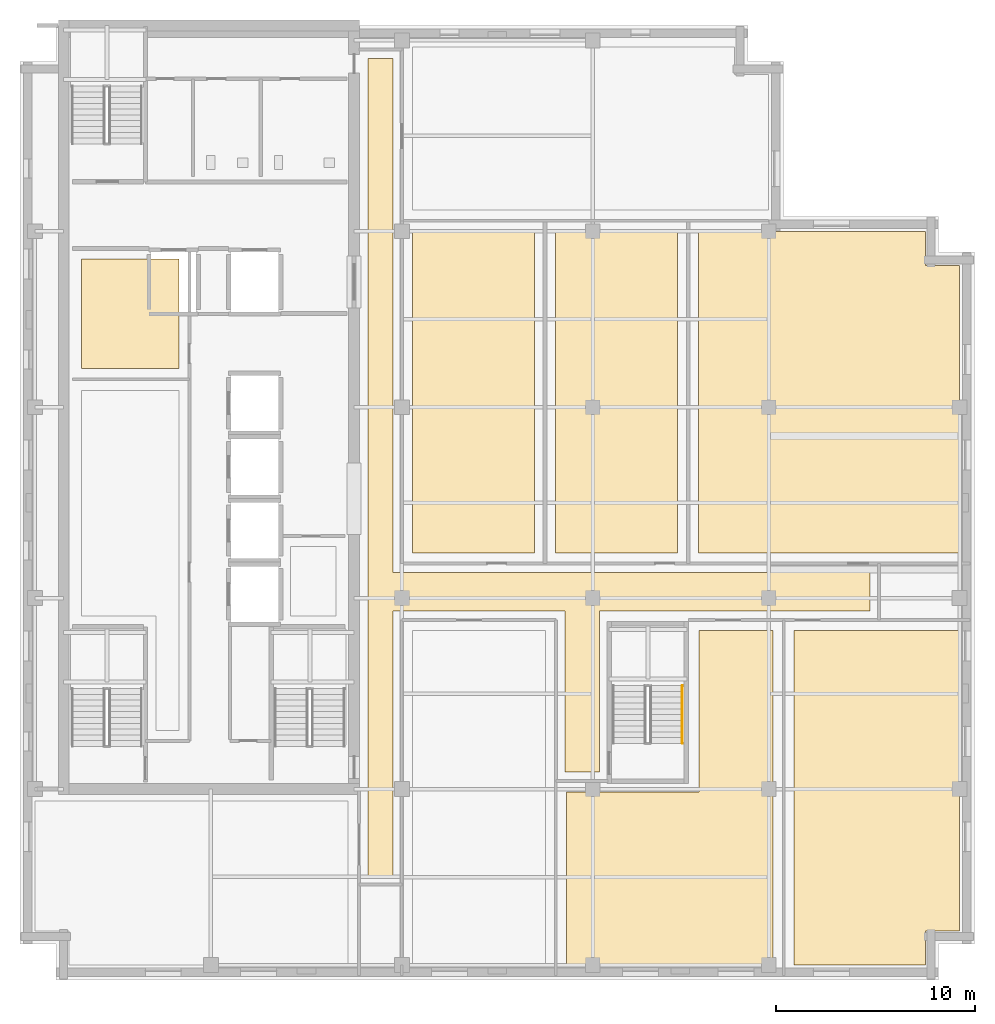
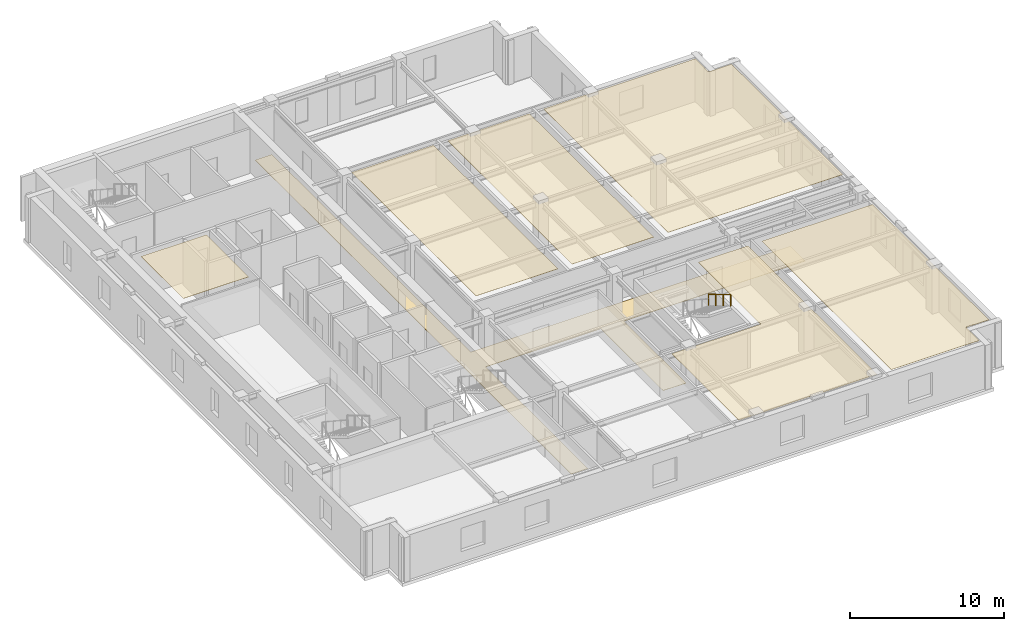
# One storey, part 8 of 10: 7 coverings, 1 railing.
"""IFC4 building model written with IfcOpenShell, lengths in metres."""

from ifc_helpers import new_model, si_unit, direction, frame, origin, origin_2d, place, context, subcontext, project, spatial, polyline, circle, outline, extrude, material, layer, layer_set, type_object, element, save


model = new_model("IFC4")

# Units and contexts
model_context = context("Model", 3, precision=1e-05, world=origin(), true_north=direction((0.0, 1.0)))
body_context = subcontext(model_context, "Body", "Model", "MODEL_VIEW")
ifc_project = project(units=[si_unit("LENGTHUNIT", "METRE"), si_unit("AREAUNIT", "SQUARE_METRE"), si_unit("VOLUMEUNIT", "CUBIC_METRE"), si_unit("PLANEANGLEUNIT", "RADIAN"), si_unit("MASSUNIT", "GRAM", prefix="KILO")], contexts=[model_context])

# Site, building, storey
site_placement = place(None, origin())
site = spatial("IfcSite", under=ifc_project, at=site_placement, CompositionType="ELEMENT")
building_placement = place(site_placement, origin())
building = spatial("IfcBuilding", under=site, at=building_placement, Name="Norrvale University Quadrangle", CompositionType="ELEMENT")
storey_placement = place(building_placement, frame((0.0, 0.0, 273.39990234375)))
storey = spatial("IfcBuildingStorey", under=building, at=storey_placement, Name="L69", CompositionType="ELEMENT", Elevation=273.39990234375)

# Coverings
ifc_material_1 = material(Name="Perforated Acoustic Mineral Ceiling")
ifc_layer_1 = layer(ifc_material_1, 0.02490234375, Name="Perforated Acoustic Mineral Ceiling")
ifc_layer_set_1 = layer_set([ifc_layer_1], Name="Perforated Acoustic Mineral Ceiling")
covering_type_1 = type_object("IfcCoveringType", Name="Covering Acoustic Ceiling 25", PredefinedType="CEILING", material=ifc_layer_set_1)
covering_1_placement = place(storey_placement, frame((0.0, 0.0, 3.51513671875)))
element("IfcCovering", 1, at=covering_1_placement, inside=storey, type_object=covering_type_1, Name="Acoustic Ceiling RM-L69-REC2", PredefinedType="CEILING", context=body_context, shape_type="SweptSolid", body=[
    extrude(outline(polyline([(3.10009765625, 30.75), (3.10009765625, 36.25), (8.0, 36.25), (8.0, 30.75), (3.10009765625, 30.75)])), origin(), (0.0, 0.0, 1.0), 0.02490234375),
])
covering_2_placement = place(storey_placement, frame((0.0, 0.0, 3.51513671875)))
element("IfcCovering", 2, at=covering_2_placement, inside=storey, type_object=covering_type_1, Name="Acoustic Ceiling RM-L69-SE2", PredefinedType="CEILING", context=body_context, shape_type="SweptSolid", body=[
    extrude(outline(polyline([(27.47998046875, 9.449951171875), (34.14990234375, 9.449951171875), (34.14990234375, 17.570068359375), (37.8701171875, 17.570068359375), (37.8701171875, 0.75), (27.47998046875, 0.75), (27.47998046875, 9.449951171875)])), origin(), (0.0, 0.0, 1.0), 0.02490234375),
])
covering_3_placement = place(storey_placement, frame((0.0, 0.0, 3.51513671875)))
element("IfcCovering", 3, at=covering_3_placement, inside=storey, type_object=covering_type_1, Name="Acoustic Ceiling RM-L69-SE3", PredefinedType="CEILING", context=body_context, shape_type="SweptSolid", body=[
    extrude(outline(polyline([(38.929931640625, 0.75), (38.929931640625, 17.570068359375), (47.25, 17.570068359375), (47.25, 2.469970703125), (45.530029296875, 2.469970703125), (45.530029296875, 0.75), (38.929931640625, 0.75)])), origin(), (0.0, 0.0, 1.0), 0.02490234375),
])
covering_4_placement = place(storey_placement, frame((0.0, 0.0, 3.51513671875)))
element("IfcCovering", 4, at=covering_4_placement, inside=storey, type_object=covering_type_1, Name="Acoustic Ceiling RM-L69-ME01", PredefinedType="CEILING", context=body_context, shape_type="SweptSolid", body=[
    extrude(outline(polyline([(19.72998046875, 37.64990234375), (25.8701171875, 37.64990234375), (25.8701171875, 21.47998046875), (19.72998046875, 21.47998046875), (19.72998046875, 37.64990234375)])), origin(), (0.0, 0.0, 1.0), 0.02490234375),
])
covering_5_placement = place(storey_placement, frame((0.0, 0.0, 3.51513671875)))
element("IfcCovering", 5, at=covering_5_placement, inside=storey, type_object=covering_type_1, Name="Acoustic Ceiling RM-L69-ME02", PredefinedType="CEILING", context=body_context, shape_type="SweptSolid", body=[
    extrude(outline(polyline([(26.929931640625, 37.64990234375), (33.070068359375, 37.64990234375), (33.070068359375, 21.47998046875), (26.929931640625, 21.47998046875), (26.929931640625, 37.64990234375)])), origin(), (0.0, 0.0, 1.0), 0.02490234375),
])
covering_6_placement = place(storey_placement, frame((0.0, 0.0, 3.51513671875)))
element("IfcCovering", 6, at=covering_6_placement, inside=storey, type_object=covering_type_1, Name="Acoustic Ceiling RM-L69-ME03", PredefinedType="CEILING", context=body_context, shape_type="SweptSolid", body=[
    extrude(outline(polyline([(47.25, 21.47998046875), (34.1298828125, 21.47998046875), (34.1298828125, 37.64990234375), (45.530029296875, 37.64990234375), (45.530029296875, 35.929931640625), (47.25, 35.929931640625), (47.25, 21.47998046875)])), origin(), (0.0, 0.0, 1.0), 0.02490234375),
])
ifc_material_2 = material(Name="Polished Terrazzo Flooring")
ifc_layer_2 = layer(ifc_material_2, 0.02490234375, Name="Polished Terrazzo Flooring")
ifc_layer_set_2 = layer_set([ifc_layer_2], Name="Polished Terrazzo Flooring")
covering_type_2 = type_object("IfcCoveringType", Name="Covering Terrazzo Floor 30", PredefinedType="FLOORING", material=ifc_layer_set_2)
covering_7_placement = place(storey_placement, origin())
element("IfcCovering", 7, at=covering_7_placement, inside=storey, type_object=covering_type_2, Name="Terrazzo Flooring RM-L69-CORR1", PredefinedType="FLOORING", context=body_context, shape_type="SweptSolid", body=[
    extrude(outline(polyline([(17.5, 5.25), (17.5, 46.35009765625), (18.75, 46.35009765625), (18.75, 20.5), (42.75, 20.5), (42.75, 18.550048828125), (29.1298828125, 18.550048828125), (29.1298828125, 10.449951171875), (27.39990234375, 10.449951171875), (27.39990234375, 18.550048828125), (18.75, 18.550048828125), (18.75, 5.25), (17.5, 5.25)])), origin(), (0.0, 0.0, 1.0), 0.025146484375),
])

# Railing
ifc_material_3 = material(Name="Stainless Steel 316L Handrail", Category="steel")
railing_type = type_object("IfcRailingType", Name="Railing Stair Handrail 920", PredefinedType="HANDRAIL", material=ifc_material_3)
railing_placement = place(storey_placement, frame((33.31005859375, 14.800048828125, 2.07275390625)))
element("IfcRailing", 8, at=railing_placement, inside=storey, type_object=railing_type, Name="Stair Upper Flight Handrail ST-04 L69", PredefinedType="HANDRAIL", context=body_context, shape_type="SweptSolid", body=[
    extrude(circle(Radius=0.02392578125, at=origin_2d()), frame((0.0, 0.0, 0.89599609375), z_axis=(0.0, -0.859160404282, 0.51170636083), x_axis=(1.0, 0.0, 0.0)), (0.0, 0.0, 1.0), 3.37548828125),
    extrude(circle(Radius=0.02099609375, at=origin_2d()), origin(), (0.0, 0.0, 1.0), 0.871826171875),
    extrude(circle(Radius=0.02099609375, at=origin_2d()), frame((0.0, -0.966796875, 0.57568359375)), (0.0, 0.0, 1.0), 0.871826171875),
    extrude(circle(Radius=0.02099609375, at=origin_2d()), frame((0.0, -1.933349609375, 1.151611328125)), (0.0, 0.0, 1.0), 0.871826171875),
    extrude(circle(Radius=0.02099609375, at=origin_2d()), frame((0.0, -2.900146484375, 1.727294921875)), (0.0, 0.0, 1.0), 0.871826171875),
])

save(model, "model.ifc")
